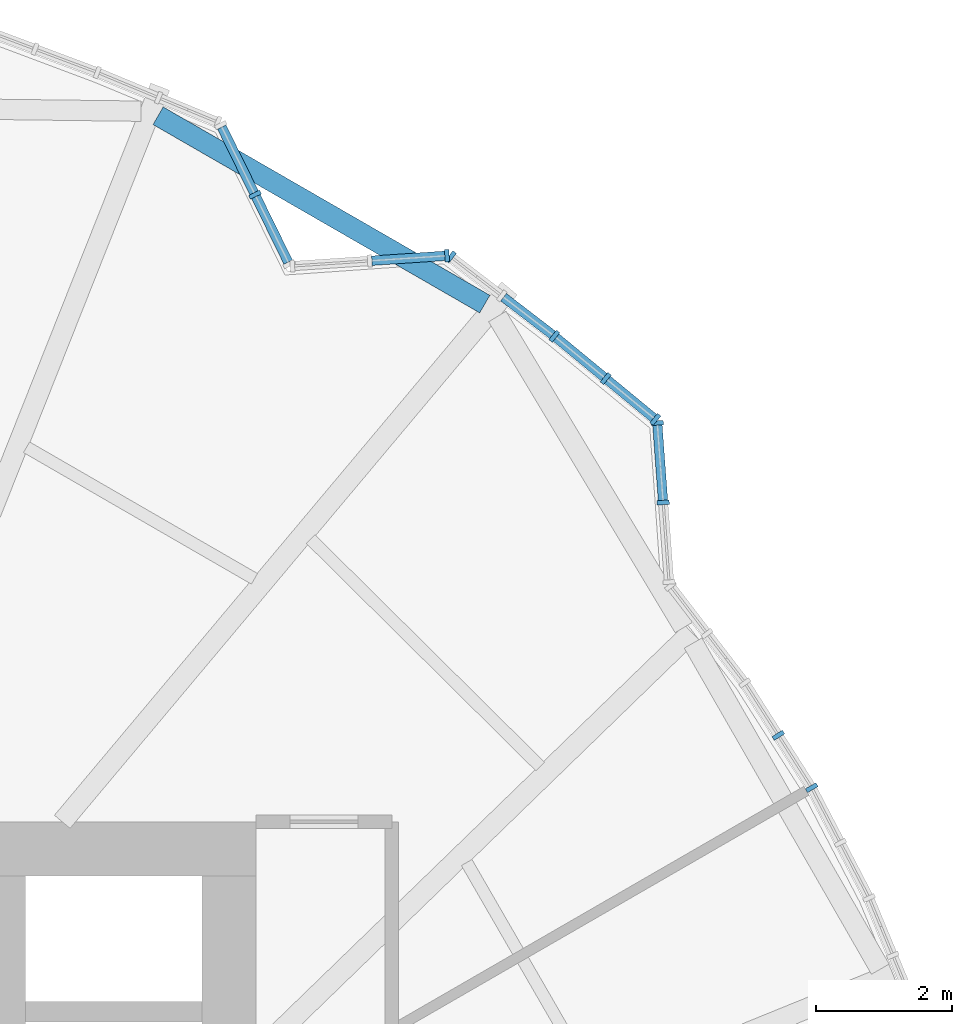
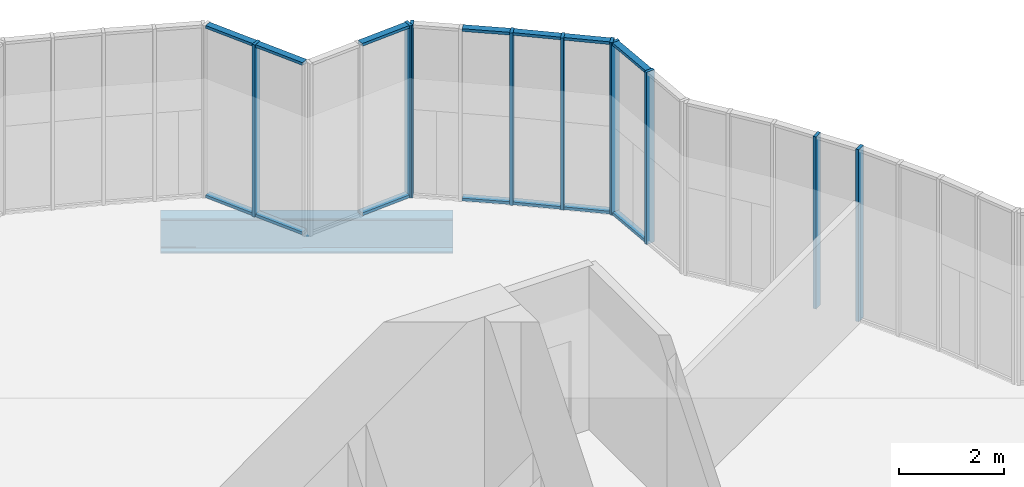
# One storey, part 8 of 22: 24 members, 1 beam, 7 elements without a shape of their own.
"""IFC4 building model written with IfcOpenShell, lengths in metres."""

from ifc_helpers import new_model, si_unit, direction, frame, origin, origin_2d, place, context, subcontext, project, spatial, rectangle, i_section, extrude, material, material_profile, profile_set, type_object, element, aggregate, save


model = new_model("IFC4")

# Units and contexts
model_context = context("Model", 3, precision=1e-05, world=origin(), true_north=direction((0.0, 1.0)))
body_context = subcontext(model_context, "Body", "Model", "MODEL_VIEW")
ifc_project = project(units=[si_unit("LENGTHUNIT", "METRE"), si_unit("AREAUNIT", "SQUARE_METRE"), si_unit("VOLUMEUNIT", "CUBIC_METRE"), si_unit("PLANEANGLEUNIT", "RADIAN"), si_unit("MASSUNIT", "GRAM", prefix="KILO")], contexts=[model_context])

# Site, building, storey
site_placement = place(None, origin())
site = spatial("IfcSite", under=ifc_project, at=site_placement, CompositionType="ELEMENT")
building_placement = place(site_placement, origin())
building = spatial("IfcBuilding", under=site, at=building_placement, Name="Golbaran Civic Tower", CompositionType="ELEMENT")
storey_placement = place(building_placement, frame((0.0, 0.0, 29.0)))
storey = spatial("IfcBuildingStorey", under=building, at=storey_placement, Name="L06", CompositionType="ELEMENT", Elevation=29.0)

# Beam
ifc_material_1 = material(Name="Steel S355", Category="steel")
ifc_material_profile_1 = material_profile(ifc_material_1, i_section(OverallWidth=0.300048828125, OverallDepth=0.800048828125, WebThickness=0.017578125, FlangeThickness=0.032958984375, FilletRadius=0.030029296875, at=origin_2d()), Name="HEB 800")
ifc_profile_set_1 = profile_set([ifc_material_profile_1], Name="Steel S355")
beam_type = type_object("IfcBeamType", Name="EDGE BEAM HEB 800", PredefinedType="BEAM", material=ifc_profile_set_1)
beam_placement = place(storey_placement, frame((13.37158203125, 17.631591796875, -0.60009765625), z_axis=(-0.866363940205, 0.499413178753, 0.0), x_axis=(-0.499413178753, -0.866363940205, 0.0)))
element("IfcBeam", 1, at=beam_placement, inside=storey, type_object=beam_type, Name="Edge beam 52.37 L06", PredefinedType="BEAM", context=body_context, shape_type="SweptSolid", body=[
    extrude(i_section(OverallWidth=0.300048828125, OverallDepth=0.800048828125, WebThickness=0.017578125, FlangeThickness=0.032958984375, FilletRadius=0.030029296875, at=origin_2d()), origin(), (0.0, 0.0, 1.0), 5.558837890625),
])

# Curtain wall, member
ifc_material_2 = material(Name="Aluminium and glass", Category="aluminium")
curtain_wall_type = type_object("IfcCurtainWallType", Name="INNER SKIN CURTAIN WALL", PredefinedType="NOTDEFINED", material=ifc_material_2)
curtain_wall_1_placement = place(storey_placement, origin())
curtain_wall_1 = element("IfcCurtainWall", 2, at=curtain_wall_1_placement, inside=storey, type_object=curtain_wall_type, Name="Inner skin L06 facet 6 CW1", ObjectType="INNER SKIN", PredefinedType="USERDEFINED")
ifc_material_3 = material(Name="Aluminium", Category="aluminium")
ifc_material_profile_2 = material_profile(ifc_material_3, rectangle(XDim=0.179931640625, YDim=0.06494140625, at=origin_2d()), Name="INNER SKIN CURTAIN WALL MULLION")
ifc_profile_set_2 = profile_set([ifc_material_profile_2], Name="Aluminium")
member_type_1 = type_object("IfcMemberType", Name="INNER SKIN CURTAIN WALL MULLION", PredefinedType="MULLION", material=ifc_profile_set_2)
member_1_placement = place(storey_placement, frame((18.19091796875, 10.50244140625, 0.0), z_axis=(0.0, 0.0, 1.0), x_axis=(-0.866025403741, -0.500000000076, 0.0)))
member_1 = element("IfcMember", 3, at=member_1_placement, type_object=member_type_1, Name="CW1 mullion 3", PredefinedType="MULLION", context=body_context, shape_type="SweptSolid", body=[
    extrude(rectangle(XDim=0.179931640625, YDim=0.06494140625, at=origin_2d()), origin(), (0.0, 0.0, 1.0), 4.0),
])
aggregate(curtain_wall_1, [member_1])

curtain_wall_2_placement = place(storey_placement, origin())
curtain_wall_2 = element("IfcCurtainWall", 4, at=curtain_wall_2_placement, inside=storey, type_object=curtain_wall_type, Name="Inner skin L06 facet 7 CW1", ObjectType="INNER SKIN", PredefinedType="USERDEFINED")
member_2_placement = place(storey_placement, frame((17.698486328125, 11.275146484375, 0.0), z_axis=(0.0, 0.0, 1.0), x_axis=(-0.843391445935, -0.537299608155, 0.0)))
member_2 = element("IfcMember", 5, at=member_2_placement, type_object=member_type_1, Name="CW1 mullion 2", PredefinedType="MULLION", context=body_context, shape_type="SweptSolid", body=[
    extrude(rectangle(XDim=0.179931640625, YDim=0.06494140625, at=origin_2d()), origin(), (0.0, 0.0, 1.0), 4.0),
])
aggregate(curtain_wall_2, [member_2])

# Curtain wall, members
curtain_wall_3_placement = place(storey_placement, origin())
curtain_wall_3 = element("IfcCurtainWall", 6, at=curtain_wall_3_placement, inside=storey, type_object=curtain_wall_type, Name="Inner skin L06 facet 9 CW1", ObjectType="INNER SKIN", PredefinedType="USERDEFINED")
member_3_placement = place(storey_placement, frame((16.0009765625, 14.70654296875, 0.0), z_axis=(0.0, 0.0, 1.0), x_axis=(-0.997238388272, -0.074267065092, 0.0)))
member_3 = element("IfcMember", 7, at=member_3_placement, type_object=member_type_1, Name="CW1 mullion 2", PredefinedType="MULLION", context=body_context, shape_type="SweptSolid", body=[
    extrude(rectangle(XDim=0.179931640625, YDim=0.06494140625, at=origin_2d()), origin(), (0.0, 0.0, 1.0), 4.0),
])
member_4_placement = place(storey_placement, frame((15.913818359375, 15.87890625, 0.0), z_axis=(0.0, 0.0, 1.0), x_axis=(-0.997238388272, -0.074267065092, 0.0)))
member_4 = element("IfcMember", 8, at=member_4_placement, type_object=member_type_1, Name="CW1 mullion 3", PredefinedType="MULLION", context=body_context, shape_type="SweptSolid", body=[
    extrude(rectangle(XDim=0.179931640625, YDim=0.06494140625, at=origin_2d()), origin(), (0.0, 0.0, 1.0), 4.0),
])

curtain_wall_4_placement = place(storey_placement, origin())
curtain_wall_4 = element("IfcCurtainWall", 9, at=curtain_wall_4_placement, inside=storey, type_object=curtain_wall_type, Name="Inner skin L06 facet 10 CW1", ObjectType="INNER SKIN", PredefinedType="USERDEFINED")
member_5_placement = place(storey_placement, frame((15.88623046875, 15.931884765625, 0.0), z_axis=(0.0, 0.0, 1.0), x_axis=(-0.63558311147, -0.772032452954, 0.0)))
member_5 = element("IfcMember", 10, at=member_5_placement, type_object=member_type_1, Name="CW1 mullion 1", PredefinedType="MULLION", context=body_context, shape_type="SweptSolid", body=[
    extrude(rectangle(XDim=0.179931640625, YDim=0.06494140625, at=origin_2d()), origin(), (0.0, 0.0, 1.0), 4.0),
])
member_6_placement = place(storey_placement, frame((15.154296875, 16.53466796875, 0.0), z_axis=(0.0, 0.0, 1.0), x_axis=(-0.63558311147, -0.772032452954, 0.0)))
member_6 = element("IfcMember", 11, at=member_6_placement, type_object=member_type_1, Name="CW1 mullion 2", PredefinedType="MULLION", context=body_context, shape_type="SweptSolid", body=[
    extrude(rectangle(XDim=0.179931640625, YDim=0.06494140625, at=origin_2d()), origin(), (0.0, 0.0, 1.0), 4.0),
])
member_7_placement = place(storey_placement, frame((14.397216796875, 17.157958984375, 0.0), z_axis=(0.0, 0.0, 1.0), x_axis=(-0.622263592758, -0.782807780447, 0.0)))
member_7 = element("IfcMember", 12, at=member_7_placement, type_object=member_type_1, Name="CW1 mullion 3", PredefinedType="MULLION", context=body_context, shape_type="SweptSolid", body=[
    extrude(rectangle(XDim=0.179931640625, YDim=0.06494140625, at=origin_2d()), origin(), (0.0, 0.0, 1.0), 4.0),
])

# Curtain wall, member
curtain_wall_5_placement = place(storey_placement, origin())
curtain_wall_5 = element("IfcCurtainWall", 13, at=curtain_wall_5_placement, inside=storey, type_object=curtain_wall_type, Name="Inner skin L06 facet 11 CW1", ObjectType="INNER SKIN", PredefinedType="USERDEFINED")
member_8_placement = place(storey_placement, frame((12.872802734375, 18.32763671875, 0.0), z_axis=(0.0, 0.0, 1.0), x_axis=(-0.608761428856, -0.793353340408, 0.0)))
member_8 = element("IfcMember", 14, at=member_8_placement, type_object=member_type_1, Name="CW1 mullion 3", PredefinedType="MULLION", context=body_context, shape_type="SweptSolid", body=[
    extrude(rectangle(XDim=0.179931640625, YDim=0.06494140625, at=origin_2d()), origin(), (0.0, 0.0, 1.0), 4.0),
])

curtain_wall_6_placement = place(storey_placement, origin())
curtain_wall_6 = element("IfcCurtainWall", 15, at=curtain_wall_6_placement, inside=storey, type_object=curtain_wall_type, Name="Inner skin L06 facet 12 CW1", ObjectType="INNER SKIN", PredefinedType="USERDEFINED")
member_9_placement = place(storey_placement, frame((12.814453125, 18.34521484375, 0.0), z_axis=(0.0, 0.0, 1.0), x_axis=(0.066606384387, -0.99777932909, 0.0)))
member_9 = element("IfcMember", 16, at=member_9_placement, type_object=member_type_1, Name="CW1 mullion 1", PredefinedType="MULLION", context=body_context, shape_type="SweptSolid", body=[
    extrude(rectangle(XDim=0.179931640625, YDim=0.06494140625, at=origin_2d()), origin(), (0.0, 0.0, 1.0), 4.0),
])

curtain_wall_7_placement = place(storey_placement, origin())
curtain_wall_7 = element("IfcCurtainWall", 17, at=curtain_wall_7_placement, inside=storey, type_object=curtain_wall_type, Name="Inner skin L06 facet 13 CW1", ObjectType="INNER SKIN", PredefinedType="USERDEFINED")
member_10_placement = place(storey_placement, frame((9.984130859375, 19.2451171875, 0.0), z_axis=(0.0, 0.0, 1.0), x_axis=(-0.897405438418, -0.441206843893, 0.0)))
member_10 = element("IfcMember", 18, at=member_10_placement, type_object=member_type_1, Name="CW1 mullion 2", PredefinedType="MULLION", context=body_context, shape_type="SweptSolid", body=[
    extrude(rectangle(XDim=0.179931640625, YDim=0.06494140625, at=origin_2d()), origin(), (0.0, 0.0, 1.0), 4.0),
])

# Member
ifc_material_profile_3 = material_profile(ifc_material_3, rectangle(XDim=0.139892578125, YDim=0.06494140625, at=origin_2d()), Name="INNER SKIN CURTAIN WALL TRANSOM")
ifc_profile_set_3 = profile_set([ifc_material_profile_3], Name="Aluminium")
member_type_2 = type_object("IfcMemberType", Name="INNER SKIN CURTAIN WALL TRANSOM", PredefinedType="USERDEFINED", material=ifc_profile_set_3)
member_11_placement = place(storey_placement, frame((15.99853515625, 14.739013671875, 0.032470703125), z_axis=(-0.074090336629, 0.997251533976, 0.0), x_axis=(-0.997251533976, -0.074090336629, 0.0)))
member_11 = element("IfcMember", 19, at=member_11_placement, type_object=member_type_2, Name="CW1 transom 2.1", ObjectType="TRANSOM", PredefinedType="USERDEFINED", context=body_context, shape_type="SweptSolid", body=[
    extrude(rectangle(XDim=0.139892578125, YDim=0.06494140625, at=origin_2d()), origin(), (0.0, 0.0, 1.0), 1.110595703125),
])

member_12_placement = place(storey_placement, frame((15.99853515625, 14.739013671875, 3.967529296875), z_axis=(-0.074090336629, 0.997251533976, 0.0), x_axis=(-0.997251533976, -0.074090336629, 0.0)))
member_12 = element("IfcMember", 20, at=member_12_placement, type_object=member_type_2, Name="CW1 transom 2.2", ObjectType="TRANSOM", PredefinedType="USERDEFINED", context=body_context, shape_type="SweptSolid", body=[
    extrude(rectangle(XDim=0.139892578125, YDim=0.06494140625, at=origin_2d()), origin(), (0.0, 0.0, 1.0), 1.110595703125),
])

aggregate(curtain_wall_3, [member_3, member_4, member_11, member_12])

member_13_placement = place(storey_placement, frame((15.861083984375, 15.95263671875, 0.032470703125), z_axis=(-0.771970140389, 0.635658793967, 0.0), x_axis=(-0.635658793967, -0.771970140389, 0.0)))
member_13 = element("IfcMember", 21, at=member_13_placement, type_object=member_type_2, Name="CW1 transom 1.1", ObjectType="TRANSOM", PredefinedType="USERDEFINED", context=body_context, shape_type="SweptSolid", body=[
    extrude(rectangle(XDim=0.139892578125, YDim=0.06494140625, at=origin_2d()), origin(), (0.0, 0.0, 1.0), 0.883056640625),
])

member_14_placement = place(storey_placement, frame((15.861083984375, 15.95263671875, 3.967529296875), z_axis=(-0.771970140389, 0.635658793967, 0.0), x_axis=(-0.635658793967, -0.771970140389, 0.0)))
member_14 = element("IfcMember", 22, at=member_14_placement, type_object=member_type_2, Name="CW1 transom 1.2", ObjectType="TRANSOM", PredefinedType="USERDEFINED", context=body_context, shape_type="SweptSolid", body=[
    extrude(rectangle(XDim=0.139892578125, YDim=0.06494140625, at=origin_2d()), origin(), (0.0, 0.0, 1.0), 0.883056640625),
])

member_15_placement = place(storey_placement, frame((15.129150390625, 16.55517578125, 0.032470703125), z_axis=(-0.771945629495, 0.635688559833, 0.0), x_axis=(-0.635688559833, -0.771945629495, 0.0)))
member_15 = element("IfcMember", 23, at=member_15_placement, type_object=member_type_2, Name="CW1 transom 2.1", ObjectType="TRANSOM", PredefinedType="USERDEFINED", context=body_context, shape_type="SweptSolid", body=[
    extrude(rectangle(XDim=0.139892578125, YDim=0.06494140625, at=origin_2d()), origin(), (0.0, 0.0, 1.0), 0.91552734375),
])

member_16_placement = place(storey_placement, frame((15.129150390625, 16.55517578125, 3.967529296875), z_axis=(-0.771945629495, 0.635688559833, 0.0), x_axis=(-0.635688559833, -0.771945629495, 0.0)))
member_16 = element("IfcMember", 24, at=member_16_placement, type_object=member_type_2, Name="CW1 transom 2.2", ObjectType="TRANSOM", PredefinedType="USERDEFINED", context=body_context, shape_type="SweptSolid", body=[
    extrude(rectangle(XDim=0.139892578125, YDim=0.06494140625, at=origin_2d()), origin(), (0.0, 0.0, 1.0), 0.91552734375),
])

aggregate(curtain_wall_4, [member_5, member_6, member_7, member_13, member_14, member_15, member_16])

member_17_placement = place(storey_placement, frame((14.371337890625, 17.177734375, 0.032470703125), z_axis=(-0.793300304283, 0.608830540648, 0.0), x_axis=(-0.608830540648, -0.793300304283, 0.0)))
member_17 = element("IfcMember", 25, at=member_17_placement, type_object=member_type_2, Name="CW1 transom 1.1", ObjectType="TRANSOM", PredefinedType="USERDEFINED", context=body_context, shape_type="SweptSolid", body=[
    extrude(rectangle(XDim=0.139892578125, YDim=0.06494140625, at=origin_2d()), origin(), (0.0, 0.0, 1.0), 0.911865234375),
])

member_18_placement = place(storey_placement, frame((14.371337890625, 17.177734375, 3.967529296875), z_axis=(-0.793300304283, 0.608830540648, 0.0), x_axis=(-0.608830540648, -0.793300304283, 0.0)))
member_18 = element("IfcMember", 26, at=member_18_placement, type_object=member_type_2, Name="CW1 transom 1.2", ObjectType="TRANSOM", PredefinedType="USERDEFINED", context=body_context, shape_type="SweptSolid", body=[
    extrude(rectangle(XDim=0.139892578125, YDim=0.06494140625, at=origin_2d()), origin(), (0.0, 0.0, 1.0), 0.911865234375),
])

aggregate(curtain_wall_5, [member_8, member_17, member_18])

member_19_placement = place(storey_placement, frame((12.7822265625, 18.343017578125, 0.032470703125), z_axis=(-0.997778133307, -0.06662429507, 0.0), x_axis=(0.06662429507, -0.997778133307, 0.0)))
member_19 = element("IfcMember", 27, at=member_19_placement, type_object=member_type_2, Name="CW1 transom 1.1", ObjectType="TRANSOM", PredefinedType="USERDEFINED", context=body_context, shape_type="SweptSolid", body=[
    extrude(rectangle(XDim=0.139892578125, YDim=0.06494140625, at=origin_2d()), origin(), (0.0, 0.0, 1.0), 1.077392578125),
])

member_20_placement = place(storey_placement, frame((12.7822265625, 18.343017578125, 3.967529296875), z_axis=(-0.997778133307, -0.06662429507, 0.0), x_axis=(0.06662429507, -0.997778133307, 0.0)))
member_20 = element("IfcMember", 28, at=member_20_placement, type_object=member_type_2, Name="CW1 transom 1.2", ObjectType="TRANSOM", PredefinedType="USERDEFINED", context=body_context, shape_type="SweptSolid", body=[
    extrude(rectangle(XDim=0.139892578125, YDim=0.06494140625, at=origin_2d()), origin(), (0.0, 0.0, 1.0), 1.077392578125),
])

aggregate(curtain_wall_6, [member_9, member_19, member_20])

member_21_placement = place(storey_placement, frame((10.473876953125, 18.249267578125, 0.032470703125), z_axis=(-0.441220934431, 0.897398510707, 0.0), x_axis=(-0.897398510707, -0.441220934431, 0.0)))
member_21 = element("IfcMember", 29, at=member_21_placement, type_object=member_type_2, Name="CW1 transom 1.1", ObjectType="TRANSOM", PredefinedType="USERDEFINED", context=body_context, shape_type="SweptSolid", body=[
    extrude(rectangle(XDim=0.139892578125, YDim=0.06494140625, at=origin_2d()), origin(), (0.0, 0.0, 1.0), 1.077392578125),
])

member_22_placement = place(storey_placement, frame((10.473876953125, 18.249267578125, 3.967529296875), z_axis=(-0.441220934431, 0.897398510707, 0.0), x_axis=(-0.897398510707, -0.441220934431, 0.0)))
member_22 = element("IfcMember", 30, at=member_22_placement, type_object=member_type_2, Name="CW1 transom 1.2", ObjectType="TRANSOM", PredefinedType="USERDEFINED", context=body_context, shape_type="SweptSolid", body=[
    extrude(rectangle(XDim=0.139892578125, YDim=0.06494140625, at=origin_2d()), origin(), (0.0, 0.0, 1.0), 1.077392578125),
])

member_23_placement = place(storey_placement, frame((9.9697265625, 19.2744140625, 0.032470703125), z_axis=(-0.441220934431, 0.897398510707, 0.0), x_axis=(-0.897398510707, -0.441220934431, 0.0)))
member_23 = element("IfcMember", 31, at=member_23_placement, type_object=member_type_2, Name="CW1 transom 2.1", ObjectType="TRANSOM", PredefinedType="USERDEFINED", context=body_context, shape_type="SweptSolid", body=[
    extrude(rectangle(XDim=0.139892578125, YDim=0.06494140625, at=origin_2d()), origin(), (0.0, 0.0, 1.0), 1.077392578125),
])

member_24_placement = place(storey_placement, frame((9.9697265625, 19.2744140625, 3.967529296875), z_axis=(-0.441220934431, 0.897398510707, 0.0), x_axis=(-0.897398510707, -0.441220934431, 0.0)))
member_24 = element("IfcMember", 32, at=member_24_placement, type_object=member_type_2, Name="CW1 transom 2.2", ObjectType="TRANSOM", PredefinedType="USERDEFINED", context=body_context, shape_type="SweptSolid", body=[
    extrude(rectangle(XDim=0.139892578125, YDim=0.06494140625, at=origin_2d()), origin(), (0.0, 0.0, 1.0), 1.077392578125),
])

aggregate(curtain_wall_7, [member_10, member_21, member_22, member_23, member_24])

save(model, "model.ifc")
